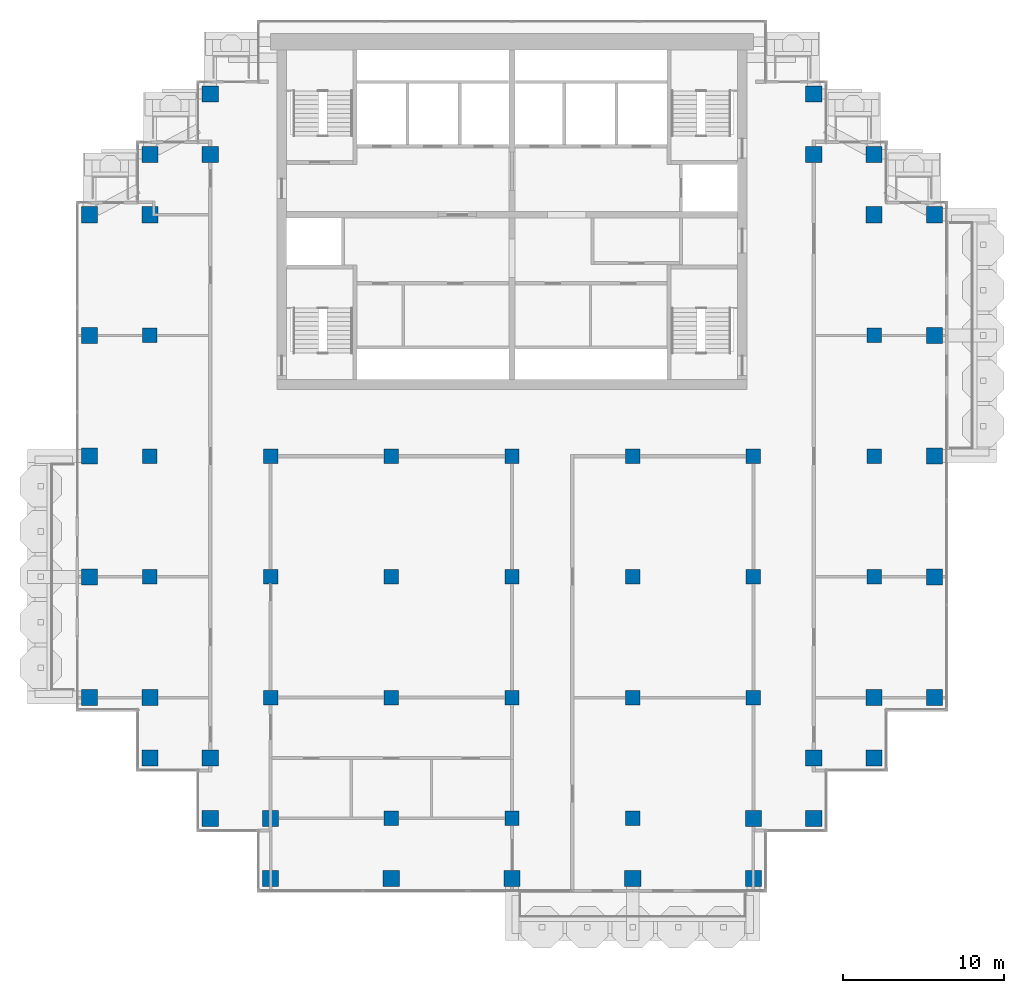
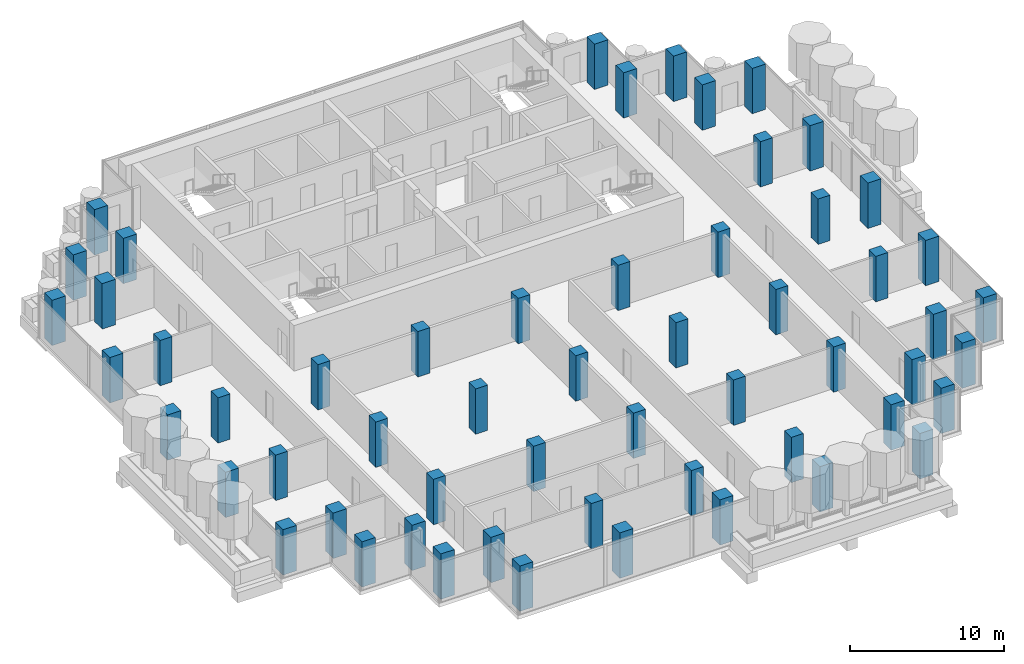
# One storey, part 1 of 18: 57 columns.
"""IFC4 building model written with IfcOpenShell, lengths in metres."""

import ifcopenshell
import ifcopenshell.guid

model = None  # the IFC model being written
_history = None  # IfcOwnerHistory: only IFC2X3 demands one
_inside = {}  # id of a spatial element -> (the spatial element, [elements in it])
_under = {}  # id of a project, library or spatial element -> (it, [spatial elements below it])
_declared = {}  # id of a project -> (the project, [libraries it declares])
_typed = {}  # id of a type object -> (the type object, [elements of that type])
_made_of = {}  # id of a material, layer set ... -> (it, [elements and type objects made of it])


def new_model(schema):
    """Start an empty IFC model of exactly this schema.

    Asked for "IFC4X3", IfcOpenShell would pick the latest addendum, in which some entities
    have other attributes; the version numbers below select the first issue.
    IFC2X3 requires an IfcOwnerHistory on every rooted entity: one is made here for all.
    """
    global model, _history
    if schema == "IFC4X3":
        model = ifcopenshell.file(schema_version=(4, 3, 0, 0))
    else:
        model = ifcopenshell.file(schema=schema)
    _inside.clear()
    _under.clear()
    _declared.clear()
    _typed.clear()
    _made_of.clear()
    _history = None
    if model.schema == "IFC2X3":
        org = make("IfcOrganization", Name="unknown")
        user = make(
            "IfcPersonAndOrganization",
            ThePerson=make("IfcPerson", FamilyName="unknown"),
            TheOrganization=org,
        )
        app = make(
            "IfcApplication",
            ApplicationDeveloper=org,
            Version="unknown",
            ApplicationFullName="unknown",
            ApplicationIdentifier="unknown",
        )
        _history = make(
            "IfcOwnerHistory",
            OwningUser=user,
            OwningApplication=app,
            ChangeAction="ADDED",
            CreationDate=0,
        )
    return model


def make(cls, **values):
    """One entity of the class cls with the attributes given. An attribute that is None is left unset."""
    return model.create_entity(
        cls, **{name: value for name, value in values.items() if value is not None}
    )


def rooted(cls, **values):
    """An entity with a GlobalId (a new one), such as an element, a storey or a relation."""
    return make(cls, GlobalId=ifcopenshell.guid.new(), OwnerHistory=_history, **values)


def si_unit(unit_type, name, prefix=None):
    """IfcSIUnit, for example si_unit("LENGTHUNIT", "METRE", prefix="MILLI")."""
    return make("IfcSIUnit", UnitType=unit_type, Prefix=prefix, Name=name)


def assignment(units):
    """IfcUnitAssignment: the units of a project."""
    return None if units is None else make("IfcUnitAssignment", Units=units)


def point(xyz):
    """IfcCartesianPoint."""
    return None if xyz is None else make("IfcCartesianPoint", Coordinates=xyz)


def direction(xyz):
    """IfcDirection."""
    return None if xyz is None else make("IfcDirection", DirectionRatios=xyz)


def frame(location, z_axis=None, x_axis=None):
    """IfcAxis2Placement3D, a coordinate frame: its origin and axes. An axis left out is left unset."""
    return make(
        "IfcAxis2Placement3D",
        Location=point(location),
        Axis=direction(z_axis),
        RefDirection=direction(x_axis),
    )


def frame_2d(location, x_axis=None):
    """IfcAxis2Placement2D, a coordinate frame in the plane: its origin and x axis."""
    return make(
        "IfcAxis2Placement2D", Location=point(location), RefDirection=direction(x_axis)
    )


def origin():
    """The frame at (0, 0, 0) with its axes left unset."""
    return frame((0.0, 0.0, 0.0))


def origin_2d():
    """The frame at (0, 0) in the plane with its x axis left unset."""
    return frame_2d((0.0, 0.0))


def place(relative_to, where):
    """IfcLocalPlacement: puts the frame where relative to a parent placement (None: the world)."""
    return make(
        "IfcLocalPlacement", PlacementRelTo=relative_to, RelativePlacement=where
    )


def context(
    kind, dimensions, precision=None, world=None, true_north=None, identifier=None
):
    """IfcGeometricRepresentationContext, for example the 3D "Model" context."""
    return make(
        "IfcGeometricRepresentationContext",
        ContextIdentifier=identifier,
        ContextType=kind,
        CoordinateSpaceDimension=dimensions,
        Precision=precision,
        WorldCoordinateSystem=world,
        TrueNorth=true_north,
    )


def subcontext(parent, identifier, kind, view, scale=None):
    """IfcGeometricRepresentationSubContext, for example "Body" below "Model"."""
    return make(
        "IfcGeometricRepresentationSubContext",
        ContextIdentifier=identifier,
        ContextType=kind,
        ParentContext=parent,
        TargetScale=scale,
        TargetView=view,
    )


def project(units=None, contexts=None):
    """IfcProject with its units and contexts."""
    return rooted(
        "IfcProject",
        Name="project",
        RepresentationContexts=contexts,
        UnitsInContext=assignment(units),
    )


def spatial(cls, under=None, at=None, **own):
    """A site, building, storey or space (cls), placed at a placement, below another one or the project."""
    s = rooted(cls, ObjectPlacement=at, **own)
    if under is not None:
        _under.setdefault(under.id(), (under, []))[1].append(s)
    return s


def profile(cls, at=None, kind="AREA", **sizes):
    """A parametric profile (cls). Its sizes go by their IFC names, for example OverallWidth=200.0."""
    return make(cls, ProfileType=kind, Position=at, **sizes)


def rectangle(**sizes):
    """IfcRectangleProfileDef."""
    return profile("IfcRectangleProfileDef", **sizes)


def extrude(swept, where, along, depth):
    """IfcExtrudedAreaSolid: the profile swept, set in the frame where, extruded along a direction by depth."""
    return make(
        "IfcExtrudedAreaSolid",
        SweptArea=swept,
        Position=where,
        ExtrudedDirection=direction(along),
        Depth=depth,
    )


def shape(context_of_items, identifier, shape_type, items):
    """IfcShapeRepresentation: the items that make up one representation, for example the "Body"."""
    return make(
        "IfcShapeRepresentation",
        ContextOfItems=context_of_items,
        RepresentationIdentifier=identifier,
        RepresentationType=shape_type,
        Items=items,
    )


def material(Name=None, Category=None):
    """IfcMaterial."""
    return make("IfcMaterial", Name=Name, Category=Category)


def material_profile(
    of_material, cross_section, Name=None, Category=None, Priority=None
):
    """IfcMaterialProfile: a cross section and its material."""
    return make(
        "IfcMaterialProfile",
        Name=Name,
        Material=of_material,
        Profile=cross_section,
        Priority=Priority,
        Category=Category,
    )


def profile_set(profiles, Name=None, composite=None):
    """IfcMaterialProfileSet."""
    return make(
        "IfcMaterialProfileSet",
        Name=Name,
        MaterialProfiles=profiles,
        CompositeProfile=composite,
    )


def made_of(thing, what):
    """Note that an element or type object is made of a material, layer set ...; save() writes the relation."""
    if what is not None:
        _made_of.setdefault(what.id(), (what, []))[1].append(thing)
    return thing


def type_object(cls, material=None, **own):
    """A type object (cls), such as IfcWallType, which elements share."""
    return made_of(rooted(cls, **own), material)


def element(
    cls,
    number,
    at=None,
    inside=None,
    cuts=None,
    type_object=None,
    material=None,
    context=None,
    identifier="Body",
    shape_type=None,
    held_by="IfcProductDefinitionShape",
    body=None,
    shapes=None,
    **own,
):
    """One element of the class cls, such as IfcWall. Its Tag is "e" and its number.

    at: its placement. inside: the storey or other place that contains it. cuts: it is an
    opening in that element (IfcRelVoidsElement). A single representation is given by context,
    identifier, shape_type and body (its items); several are given by shapes. held_by: the class
    of the entity that holds the representations. save() writes the other relations.
    """
    e = rooted(cls, Tag="e%d" % number, ObjectPlacement=at, **own)
    if body is not None:
        shapes = [shape(context, identifier, shape_type, body)]
    if shapes is not None:
        e.Representation = make(held_by, Representations=shapes)
    if inside is not None:
        _inside.setdefault(inside.id(), (inside, []))[1].append(e)
    if cuts is not None:
        rooted(
            "IfcRelVoidsElement", RelatingBuildingElement=cuts, RelatedOpeningElement=e
        )
    if type_object is not None:
        _typed.setdefault(type_object.id(), (type_object, []))[1].append(e)
    return made_of(e, material)


def aggregate(whole, parts):
    """IfcRelAggregates: a whole, such as a stair, and the parts it consists of."""
    return rooted("IfcRelAggregates", RelatingObject=whole, RelatedObjects=parts)


def save(model, path):
    """Write the relations noted so far, then the file.

    IfcRelAggregates (storeys below a building ...), IfcRelContainedInSpatialStructure (elements
    in a storey), IfcRelDefinesByType, IfcRelAssociatesMaterial and IfcRelDeclares: one each for
    every whole, place, type object, material and project.
    """
    for whole, parts in _under.values():
        aggregate(whole, parts)
    for where, things in _inside.values():
        rooted(
            "IfcRelContainedInSpatialStructure",
            RelatedElements=things,
            RelatingStructure=where,
        )
    for kind, things in _typed.values():
        rooted("IfcRelDefinesByType", RelatedObjects=things, RelatingType=kind)
    for what, things in _made_of.values():
        rooted("IfcRelAssociatesMaterial", RelatedObjects=things, RelatingMaterial=what)
    for by, libraries in _declared.values():
        rooted("IfcRelDeclares", RelatingContext=by, RelatedDefinitions=libraries)
    model.write(path)


model = new_model("IFC4")

# Units and contexts
model_context = context("Model", 3, precision=1e-05, world=origin(), true_north=direction((0.0, 1.0)))
body_context = subcontext(model_context, "Body", "Model", "MODEL_VIEW")
ifc_project = project(units=[si_unit("LENGTHUNIT", "METRE"), si_unit("AREAUNIT", "SQUARE_METRE"), si_unit("VOLUMEUNIT", "CUBIC_METRE"), si_unit("PLANEANGLEUNIT", "RADIAN"), si_unit("MASSUNIT", "GRAM", prefix="KILO")], contexts=[model_context])

# Site, building, storey
site_placement = place(None, origin())
site = spatial("IfcSite", under=ifc_project, at=site_placement, CompositionType="ELEMENT")
building_placement = place(site_placement, origin())
building = spatial("IfcBuilding", under=site, at=building_placement, Name="Pilkhan Gate Tower", CompositionType="ELEMENT")
storey_placement = place(building_placement, frame((0.0, 0.0, 210.300048828125)))
storey = spatial("IfcBuildingStorey", under=building, at=storey_placement, Name="L54", CompositionType="ELEMENT", Elevation=210.300048828125)

# Columns
ifc_material = material(Name="Concrete C50/60", Category="concrete")
ifc_material_profile_1 = material_profile(ifc_material, rectangle(XDim=1.0, YDim=1.0, at=origin_2d()), Name="RC 1000x1000")
ifc_profile_set_1 = profile_set([ifc_material_profile_1], Name="Concrete C50/60")
column_type_1 = type_object("IfcColumnType", Name="Column C100 RC 1000x1000 C50/60", PredefinedType="COLUMN", material=ifc_profile_set_1)
for number, where, z_axis, x_axis, name in (
    (1, (48.75, 52.5, 0.0), (0.0, 0.0, 1.0), (1.0, 0.0, 0.0), "Column 4/D L54"),
    (2, (48.75, 60.0, 0.0), (0.0, 0.0, 1.0), (1.0, 0.0, 0.0), "Column 4/F L54"),
    (3, (48.75, 67.5, 0.0), (0.0, 0.0, 1.0), (1.0, 0.0, 0.0), "Column 4/H L54"),
    (4, (48.75, 75.0, 0.0), (0.0, 0.0, 1.0), (1.0, 0.0, 0.0), "Column 4/K L54"),
    (5, (48.75, 82.5, 0.0), (0.0, 0.0, 1.0), (1.0, 0.0, 0.0), "Column 4/M L54"),
    (6, (52.5, 48.75, 0.0), (0.0, 0.0, 1.0), (1.0, 0.0, 0.0), "Column 5/C L54"),
    (7, (52.5, 52.5, 0.0), (0.0, 0.0, 1.0), (1.0, 0.0, 0.0), "Column 5/D L54"),
    (8, (52.5, 82.5, 0.0), (0.0, 0.0, 1.0), (1.0, 0.0, 0.0), "Column 5/M L54"),
    (9, (52.5, 86.25, 0.0), (0.0, 0.0, 1.0), (1.0, 0.0, 0.0), "Column 5/N L54"),
    (10, (56.25, 45.0, 0.0), (0.0, 0.0, 1.0), (1.0, 0.0, 0.0), "Column 6/B L54"),
    (11, (56.25, 48.75, 0.0), (0.0, 0.0, 1.0), (1.0, 0.0, 0.0), "Column 6/C L54"),
    (12, (56.25, 86.25, 0.0), (0.0, 0.0, 1.0), (1.0, 0.0, 0.0), "Column 6/N L54"),
    (13, (56.25, 90.0, 0.0), (0.0, 0.0, 1.0), (1.0, 0.0, 0.0), "Column 6/P L54"),
    (14, (60.0, 41.25, 0.0), (0.0, 0.0, 1.0), (1.0, 0.0, 0.0), "Column 7/A L54"),
    (15, (60.0, 45.0, 0.0), (0.0, 0.0, 1.0), (1.0, 0.0, 0.0), "Column 7/B L54"),
    (16, (67.5, 41.25, 0.0), (0.0, 0.0, 1.0), (1.0, 0.0, 0.0), "Column 9/A L54"),
    (17, (75.0, 41.25, 0.0), (0.0, 0.0, 1.0), (1.0, 0.0, 0.0), "Column 11/A L54"),
    (18, (82.5, 41.25, 0.0), (0.0, 0.0, 1.0), (1.0, 0.0, 0.0), "Column 13/A L54"),
    (19, (90.0, 41.25, 0.0), (0.0, 0.0, 1.0), (1.0, 0.0, 0.0), "Column 15/A L54"),
    (20, (90.0, 45.0, 0.0), (0.0, 0.0, 1.0), (1.0, 0.0, 0.0), "Column 15/B L54"),
    (21, (93.75, 45.0, 0.0), (0.0, 0.0, 1.0), (1.0, 0.0, 0.0), "Column 16/B L54"),
    (22, (93.75, 48.75, 0.0), (0.0, 0.0, 1.0), (1.0, 0.0, 0.0), "Column 16/C L54"),
    (23, (93.75, 86.25, 0.0), (0.0, 0.0, 1.0), (1.0, 0.0, 0.0), "Column 16/N L54"),
    (24, (93.75, 90.0, 0.0), (0.0, 0.0, 1.0), (1.0, 0.0, 0.0), "Column 16/P L54"),
    (25, (97.5, 48.75, 0.0), (0.0, 0.0, 1.0), (1.0, 0.0, 0.0), "Column 17/C L54"),
    (26, (97.5, 52.5, 0.0), (0.0, 0.0, 1.0), (1.0, 0.0, 0.0), "Column 17/D L54"),
    (27, (97.5, 82.5, 0.0), (0.0, 0.0, 1.0), (1.0, 0.0, 0.0), "Column 17/M L54"),
    (28, (97.5, 86.25, 0.0), (0.0, 0.0, 1.0), (1.0, 0.0, 0.0), "Column 17/N L54"),
    (29, (101.25, 52.5, 0.0), (0.0, 0.0, 1.0), (1.0, 0.0, 0.0), "Column 18/D L54"),
    (30, (101.25, 60.0, 0.0), (0.0, 0.0, 1.0), (1.0, 0.0, 0.0), "Column 18/F L54"),
    (31, (101.25, 67.5, 0.0), (0.0, 0.0, 1.0), (1.0, 0.0, 0.0), "Column 18/H L54"),
    (32, (101.25, 75.0, 0.0), (0.0, 0.0, 1.0), (1.0, 0.0, 0.0), "Column 18/K L54"),
    (33, (101.25, 82.5, 0.0), (0.0, 0.0, 1.0), (1.0, 0.0, 0.0), "Column 18/M L54"),
):
    element("IfcColumn", number, at=place(storey_placement, frame(where, z_axis=z_axis, x_axis=x_axis)), inside=storey, type_object=column_type_1, Name=name, PredefinedType="COLUMN", context=body_context, shape_type="SweptSolid", body=[
        extrude(rectangle(XDim=1.0, YDim=1.0, at=origin_2d()), origin(), (0.0, 0.0, 1.0), 3.599853515625),
    ])
ifc_material_profile_2 = material_profile(ifc_material, rectangle(XDim=0.89990234375, YDim=0.89990234375, at=origin_2d()), Name="RC 900x900")
ifc_profile_set_2 = profile_set([ifc_material_profile_2], Name="Concrete C50/60")
column_type_2 = type_object("IfcColumnType", Name="Column C90 RC 900x900 C50/60", PredefinedType="COLUMN", material=ifc_profile_set_2)
for number, where, z_axis, x_axis, name in (
    (34, (52.5, 60.0, 0.0), (0.0, 0.0, 1.0), (1.0, 0.0, 0.0), "Column 5/F L54"),
    (35, (52.5, 67.5, 0.0), (0.0, 0.0, 1.0), (1.0, 0.0, 0.0), "Column 5/H L54"),
    (36, (52.5, 75.0, 0.0), (0.0, 0.0, 1.0), (1.0, 0.0, 0.0), "Column 5/K L54"),
    (37, (60.0, 52.5, 0.0), (0.0, 0.0, 1.0), (1.0, 0.0, 0.0), "Column 7/D L54"),
    (38, (60.0, 60.0, 0.0), (0.0, 0.0, 1.0), (1.0, 0.0, 0.0), "Column 7/F L54"),
    (39, (60.0, 67.5, 0.0), (0.0, 0.0, 1.0), (1.0, 0.0, 0.0), "Column 7/H L54"),
    (40, (67.5, 45.0, 0.0), (0.0, 0.0, 1.0), (1.0, 0.0, 0.0), "Column 9/B L54"),
    (41, (67.5, 52.5, 0.0), (0.0, 0.0, 1.0), (1.0, 0.0, 0.0), "Column 9/D L54"),
    (42, (67.5, 60.0, 0.0), (0.0, 0.0, 1.0), (1.0, 0.0, 0.0), "Column 9/F L54"),
    (43, (67.5, 67.5, 0.0), (0.0, 0.0, 1.0), (1.0, 0.0, 0.0), "Column 9/H L54"),
    (44, (75.0, 45.0, 0.0), (0.0, 0.0, 1.0), (1.0, 0.0, 0.0), "Column 11/B L54"),
    (45, (75.0, 52.5, 0.0), (0.0, 0.0, 1.0), (1.0, 0.0, 0.0), "Column 11/D L54"),
    (46, (75.0, 60.0, 0.0), (0.0, 0.0, 1.0), (1.0, 0.0, 0.0), "Column 11/F L54"),
    (47, (75.0, 67.5, 0.0), (0.0, 0.0, 1.0), (1.0, 0.0, 0.0), "Column 11/H L54"),
    (48, (82.5, 45.0, 0.0), (0.0, 0.0, 1.0), (1.0, 0.0, 0.0), "Column 13/B L54"),
    (49, (82.5, 52.5, 0.0), (0.0, 0.0, 1.0), (1.0, 0.0, 0.0), "Column 13/D L54"),
    (50, (82.5, 60.0, 0.0), (0.0, 0.0, 1.0), (1.0, 0.0, 0.0), "Column 13/F L54"),
    (51, (82.5, 67.5, 0.0), (0.0, 0.0, 1.0), (1.0, 0.0, 0.0), "Column 13/H L54"),
    (52, (90.0, 52.5, 0.0), (0.0, 0.0, 1.0), (1.0, 0.0, 0.0), "Column 15/D L54"),
    (53, (90.0, 60.0, 0.0), (0.0, 0.0, 1.0), (1.0, 0.0, 0.0), "Column 15/F L54"),
    (54, (90.0, 67.5, 0.0), (0.0, 0.0, 1.0), (1.0, 0.0, 0.0), "Column 15/H L54"),
    (55, (97.5, 60.0, 0.0), (0.0, 0.0, 1.0), (1.0, 0.0, 0.0), "Column 17/F L54"),
    (56, (97.5, 67.5, 0.0), (0.0, 0.0, 1.0), (1.0, 0.0, 0.0), "Column 17/H L54"),
    (57, (97.5, 75.0, 0.0), (0.0, 0.0, 1.0), (1.0, 0.0, 0.0), "Column 17/K L54"),
):
    element("IfcColumn", number, at=place(storey_placement, frame(where, z_axis=z_axis, x_axis=x_axis)), inside=storey, type_object=column_type_2, Name=name, PredefinedType="COLUMN", context=body_context, shape_type="SweptSolid", body=[
        extrude(rectangle(XDim=0.89990234375, YDim=0.89990234375, at=origin_2d()), origin(), (0.0, 0.0, 1.0), 3.599853515625),
    ])

save(model, "model.ifc")
